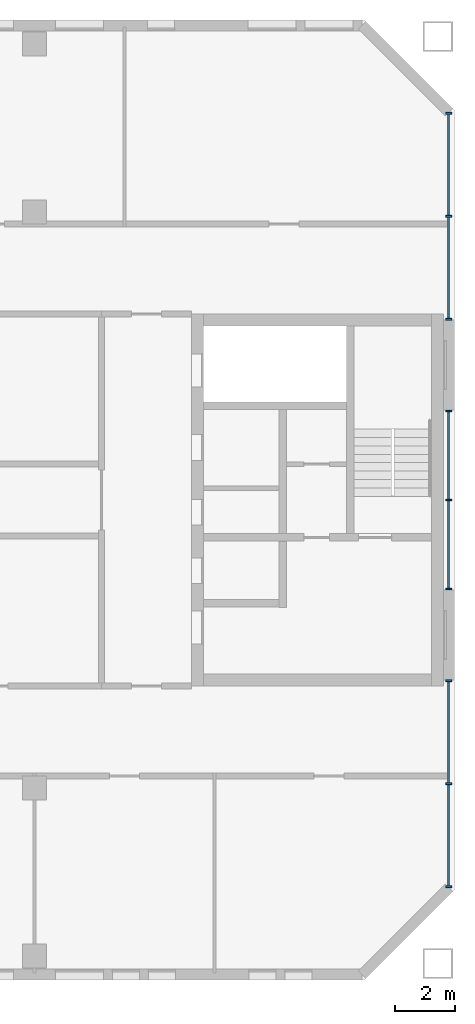
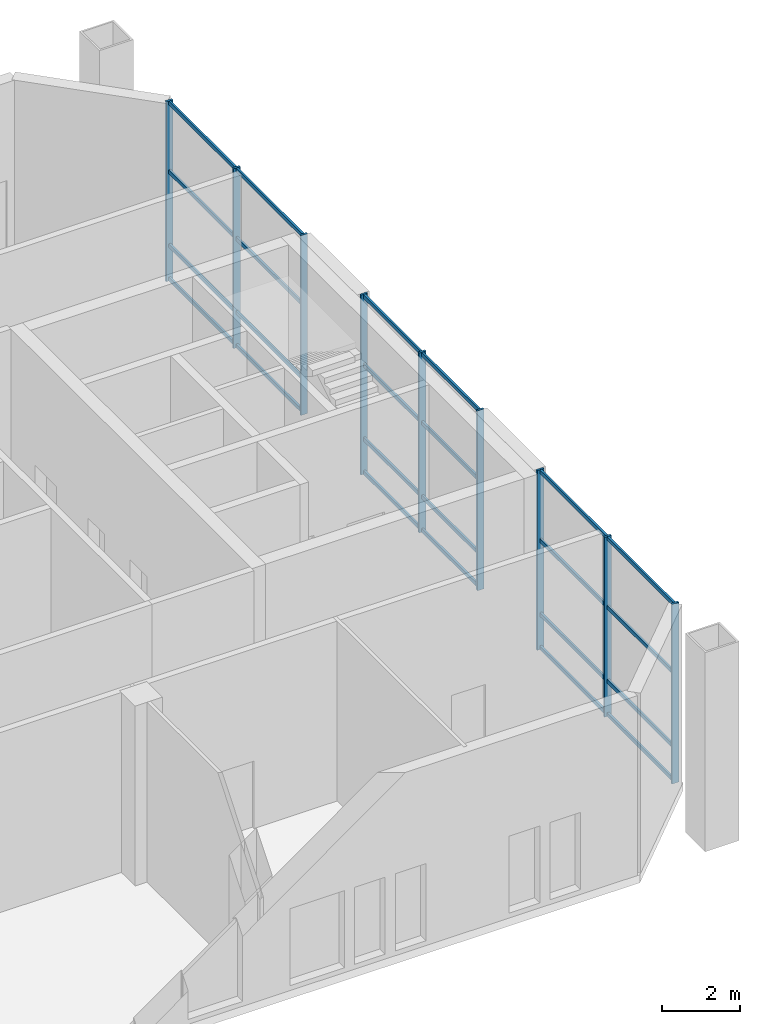
# One storey, part 6 of 20: 33 members, 3 elements without a shape of their own.
"""IFC4 building model written with IfcOpenShell, lengths in metres."""

from ifc_helpers import new_model, si_unit, direction, frame, origin, origin_2d, place, context, subcontext, project, spatial, rectangle, extrude, material, material_profile, profile_set, type_object, element, aggregate, save


model = new_model("IFC4")

# Units and contexts
model_context = context("Model", 3, precision=1e-05, world=origin(), true_north=direction((0.0, 1.0)))
body_context = subcontext(model_context, "Body", "Model", "MODEL_VIEW")
ifc_project = project(units=[si_unit("LENGTHUNIT", "METRE"), si_unit("AREAUNIT", "SQUARE_METRE"), si_unit("VOLUMEUNIT", "CUBIC_METRE"), si_unit("PLANEANGLEUNIT", "RADIAN"), si_unit("MASSUNIT", "GRAM", prefix="KILO")], contexts=[model_context])

# Site, building, storey
site_placement = place(None, origin())
site = spatial("IfcSite", under=ifc_project, at=site_placement, CompositionType="ELEMENT")
building_placement = place(site_placement, origin())
building = spatial("IfcBuilding", under=site, at=building_placement, Name="Tuart Gate Housing", CompositionType="ELEMENT")
storey_placement = place(building_placement, frame((0.0, 0.0, 215.199951171875)))
storey = spatial("IfcBuildingStorey", under=building, at=storey_placement, Name="L61", CompositionType="ELEMENT", Elevation=215.199951171875)

# Curtain wall, members
ifc_material_1 = material(Name="Aluminium and clear glass", Category="aluminium")
curtain_wall_type = type_object("IfcCurtainWallType", Name="Sky garden front glazing", PredefinedType="USERDEFINED", material=ifc_material_1)
curtain_wall_1_placement = place(storey_placement, origin())
curtain_wall_1 = element("IfcCurtainWall", 1, at=curtain_wall_1_placement, inside=storey, type_object=curtain_wall_type, Name="Sky garden front glazing BLK-E L61", ObjectType="SKY GARDEN FRONT GLAZING", PredefinedType="USERDEFINED")
ifc_material_2 = material(Name="Anodised aluminium", Category="aluminium")
ifc_material_profile_1 = material_profile(ifc_material_2, rectangle(XDim=0.06005859375, YDim=0.199951171875, at=origin_2d()), Name="60x200")
ifc_profile_set_1 = profile_set([ifc_material_profile_1], Name="Anodised aluminium")
member_type_1 = type_object("IfcMemberType", Name="Mullion 60 x 200", PredefinedType="MULLION", material=ifc_profile_set_1)
member_1_placement = place(storey_placement, frame((168.820068359375, 57.1044921875, 0.0), z_axis=(0.0, 0.0, 1.0), x_axis=(0.0, 1.0, 0.0)))
member_1 = element("IfcMember", 2, at=member_1_placement, type_object=member_type_1, Name="CW4 mullion 1", PredefinedType="MULLION", context=body_context, shape_type="SweptSolid", body=[
    extrude(rectangle(XDim=0.06005859375, YDim=0.199951171875, at=origin_2d()), origin(), (0.0, 0.0, 1.0), 5.60009765625),
])
member_2_placement = place(storey_placement, frame((168.820068359375, 60.537353515625, 0.0), z_axis=(0.0, 0.0, 1.0), x_axis=(0.0, 1.0, 0.0)))
member_2 = element("IfcMember", 3, at=member_2_placement, type_object=member_type_1, Name="CW4 mullion 2", PredefinedType="MULLION", context=body_context, shape_type="SweptSolid", body=[
    extrude(rectangle(XDim=0.06005859375, YDim=0.199951171875, at=origin_2d()), origin(), (0.0, 0.0, 1.0), 5.60009765625),
])
member_3_placement = place(storey_placement, frame((168.820068359375, 63.969970703125, 0.0), z_axis=(0.0, 0.0, 1.0), x_axis=(0.0, 1.0, 0.0)))
member_3 = element("IfcMember", 4, at=member_3_placement, type_object=member_type_1, Name="CW4 mullion 3", PredefinedType="MULLION", context=body_context, shape_type="SweptSolid", body=[
    extrude(rectangle(XDim=0.06005859375, YDim=0.199951171875, at=origin_2d()), origin(), (0.0, 0.0, 1.0), 5.60009765625),
])

curtain_wall_2_placement = place(storey_placement, origin())
curtain_wall_2 = element("IfcCurtainWall", 5, at=curtain_wall_2_placement, inside=storey, type_object=curtain_wall_type, Name="Sky garden front glazing BLK-E L61", ObjectType="SKY GARDEN FRONT GLAZING", PredefinedType="USERDEFINED")
member_4_placement = place(storey_placement, frame((168.820068359375, 67.030029296875, 0.0), z_axis=(0.0, 0.0, 1.0), x_axis=(0.0, 1.0, 0.0)))
member_4 = element("IfcMember", 6, at=member_4_placement, type_object=member_type_1, Name="CW4 mullion 1", PredefinedType="MULLION", context=body_context, shape_type="SweptSolid", body=[
    extrude(rectangle(XDim=0.06005859375, YDim=0.199951171875, at=origin_2d()), origin(), (0.0, 0.0, 1.0), 5.60009765625),
])
member_5_placement = place(storey_placement, frame((168.820068359375, 70.0, 0.0), z_axis=(0.0, 0.0, 1.0), x_axis=(0.0, 1.0, 0.0)))
member_5 = element("IfcMember", 7, at=member_5_placement, type_object=member_type_1, Name="CW4 mullion 2", PredefinedType="MULLION", context=body_context, shape_type="SweptSolid", body=[
    extrude(rectangle(XDim=0.06005859375, YDim=0.199951171875, at=origin_2d()), origin(), (0.0, 0.0, 1.0), 5.60009765625),
])
member_6_placement = place(storey_placement, frame((168.820068359375, 72.969970703125, 0.0), z_axis=(0.0, 0.0, 1.0), x_axis=(0.0, 1.0, 0.0)))
member_6 = element("IfcMember", 8, at=member_6_placement, type_object=member_type_1, Name="CW4 mullion 3", PredefinedType="MULLION", context=body_context, shape_type="SweptSolid", body=[
    extrude(rectangle(XDim=0.06005859375, YDim=0.199951171875, at=origin_2d()), origin(), (0.0, 0.0, 1.0), 5.60009765625),
])

curtain_wall_3_placement = place(storey_placement, origin())
curtain_wall_3 = element("IfcCurtainWall", 9, at=curtain_wall_3_placement, inside=storey, type_object=curtain_wall_type, Name="Sky garden front glazing BLK-E L61", ObjectType="SKY GARDEN FRONT GLAZING", PredefinedType="USERDEFINED")
member_7_placement = place(storey_placement, frame((168.820068359375, 76.030029296875, 0.0), z_axis=(0.0, 0.0, 1.0), x_axis=(0.0, 1.0, 0.0)))
member_7 = element("IfcMember", 10, at=member_7_placement, type_object=member_type_1, Name="CW4 mullion 1", PredefinedType="MULLION", context=body_context, shape_type="SweptSolid", body=[
    extrude(rectangle(XDim=0.06005859375, YDim=0.199951171875, at=origin_2d()), origin(), (0.0, 0.0, 1.0), 5.60009765625),
])
member_8_placement = place(storey_placement, frame((168.820068359375, 79.462646484375, 0.0), z_axis=(0.0, 0.0, 1.0), x_axis=(0.0, 1.0, 0.0)))
member_8 = element("IfcMember", 11, at=member_8_placement, type_object=member_type_1, Name="CW4 mullion 2", PredefinedType="MULLION", context=body_context, shape_type="SweptSolid", body=[
    extrude(rectangle(XDim=0.06005859375, YDim=0.199951171875, at=origin_2d()), origin(), (0.0, 0.0, 1.0), 5.60009765625),
])
member_9_placement = place(storey_placement, frame((168.820068359375, 82.8955078125, 0.0), z_axis=(0.0, 0.0, 1.0), x_axis=(0.0, 1.0, 0.0)))
member_9 = element("IfcMember", 12, at=member_9_placement, type_object=member_type_1, Name="CW4 mullion 3", PredefinedType="MULLION", context=body_context, shape_type="SweptSolid", body=[
    extrude(rectangle(XDim=0.06005859375, YDim=0.199951171875, at=origin_2d()), origin(), (0.0, 0.0, 1.0), 5.60009765625),
])

# Member
ifc_material_3 = material(Name="Anodised aluminium", Category="aluminium")
ifc_material_profile_2 = material_profile(ifc_material_3, rectangle(XDim=0.06005859375, YDim=0.1201171875, at=origin_2d()), Name="60x120")
ifc_profile_set_2 = profile_set([ifc_material_profile_2], Name="Anodised aluminium")
member_type_2 = type_object("IfcMemberType", Name="Transom 60 x 120", PredefinedType="USERDEFINED", material=ifc_profile_set_2)
member_10_placement = place(storey_placement, frame((168.820068359375, 57.134521484375, 0.06005859375), z_axis=(0.0, 1.0, 0.0), x_axis=(-1.0, 0.0, 0.0)))
member_10 = element("IfcMember", 13, at=member_10_placement, type_object=member_type_2, Name="CW4 transom 1.1", ObjectType="TRANSOM", PredefinedType="USERDEFINED", context=body_context, shape_type="SweptSolid", body=[
    extrude(rectangle(XDim=0.06005859375, YDim=0.1201171875, at=origin_2d()), origin(), (0.0, 0.0, 1.0), 3.372802734375),
])

member_11_placement = place(storey_placement, frame((168.820068359375, 57.134521484375, 1.10009765625), z_axis=(0.0, 1.0, 0.0), x_axis=(-1.0, 0.0, 0.0)))
member_11 = element("IfcMember", 14, at=member_11_placement, type_object=member_type_2, Name="CW4 transom 1.2", ObjectType="TRANSOM", PredefinedType="USERDEFINED", context=body_context, shape_type="SweptSolid", body=[
    extrude(rectangle(XDim=0.06005859375, YDim=0.1201171875, at=origin_2d()), origin(), (0.0, 0.0, 1.0), 3.372802734375),
])

member_12_placement = place(storey_placement, frame((168.820068359375, 57.134521484375, 3.400146484375), z_axis=(0.0, 1.0, 0.0), x_axis=(-1.0, 0.0, 0.0)))
member_12 = element("IfcMember", 15, at=member_12_placement, type_object=member_type_2, Name="CW4 transom 1.3", ObjectType="TRANSOM", PredefinedType="USERDEFINED", context=body_context, shape_type="SweptSolid", body=[
    extrude(rectangle(XDim=0.06005859375, YDim=0.1201171875, at=origin_2d()), origin(), (0.0, 0.0, 1.0), 3.372802734375),
])

member_13_placement = place(storey_placement, frame((168.820068359375, 57.134521484375, 5.5400390625), z_axis=(0.0, 1.0, 0.0), x_axis=(-1.0, 0.0, 0.0)))
member_13 = element("IfcMember", 16, at=member_13_placement, type_object=member_type_2, Name="CW4 transom 1.4", ObjectType="TRANSOM", PredefinedType="USERDEFINED", context=body_context, shape_type="SweptSolid", body=[
    extrude(rectangle(XDim=0.06005859375, YDim=0.1201171875, at=origin_2d()), origin(), (0.0, 0.0, 1.0), 3.372802734375),
])

member_14_placement = place(storey_placement, frame((168.820068359375, 60.5673828125, 0.06005859375), z_axis=(0.0, 1.0, 0.0), x_axis=(-1.0, 0.0, 0.0)))
member_14 = element("IfcMember", 17, at=member_14_placement, type_object=member_type_2, Name="CW4 transom 2.1", ObjectType="TRANSOM", PredefinedType="USERDEFINED", context=body_context, shape_type="SweptSolid", body=[
    extrude(rectangle(XDim=0.06005859375, YDim=0.1201171875, at=origin_2d()), origin(), (0.0, 0.0, 1.0), 3.37255859375),
])

member_15_placement = place(storey_placement, frame((168.820068359375, 60.5673828125, 1.10009765625), z_axis=(0.0, 1.0, 0.0), x_axis=(-1.0, 0.0, 0.0)))
member_15 = element("IfcMember", 18, at=member_15_placement, type_object=member_type_2, Name="CW4 transom 2.2", ObjectType="TRANSOM", PredefinedType="USERDEFINED", context=body_context, shape_type="SweptSolid", body=[
    extrude(rectangle(XDim=0.06005859375, YDim=0.1201171875, at=origin_2d()), origin(), (0.0, 0.0, 1.0), 3.37255859375),
])

member_16_placement = place(storey_placement, frame((168.820068359375, 60.5673828125, 3.400146484375), z_axis=(0.0, 1.0, 0.0), x_axis=(-1.0, 0.0, 0.0)))
member_16 = element("IfcMember", 19, at=member_16_placement, type_object=member_type_2, Name="CW4 transom 2.3", ObjectType="TRANSOM", PredefinedType="USERDEFINED", context=body_context, shape_type="SweptSolid", body=[
    extrude(rectangle(XDim=0.06005859375, YDim=0.1201171875, at=origin_2d()), origin(), (0.0, 0.0, 1.0), 3.37255859375),
])

member_17_placement = place(storey_placement, frame((168.820068359375, 60.5673828125, 5.5400390625), z_axis=(0.0, 1.0, 0.0), x_axis=(-1.0, 0.0, 0.0)))
member_17 = element("IfcMember", 20, at=member_17_placement, type_object=member_type_2, Name="CW4 transom 2.4", ObjectType="TRANSOM", PredefinedType="USERDEFINED", context=body_context, shape_type="SweptSolid", body=[
    extrude(rectangle(XDim=0.06005859375, YDim=0.1201171875, at=origin_2d()), origin(), (0.0, 0.0, 1.0), 3.37255859375),
])

aggregate(curtain_wall_1, [member_1, member_2, member_3, member_10, member_11, member_12, member_13, member_14, member_15, member_16, member_17])

member_18_placement = place(storey_placement, frame((168.820068359375, 67.06005859375, 0.06005859375), z_axis=(0.0, 1.0, 0.0), x_axis=(-1.0, 0.0, 0.0)))
member_18 = element("IfcMember", 21, at=member_18_placement, type_object=member_type_2, Name="CW4 transom 1.1", ObjectType="TRANSOM", PredefinedType="USERDEFINED", context=body_context, shape_type="SweptSolid", body=[
    extrude(rectangle(XDim=0.06005859375, YDim=0.1201171875, at=origin_2d()), origin(), (0.0, 0.0, 1.0), 2.909912109375),
])

member_19_placement = place(storey_placement, frame((168.820068359375, 67.06005859375, 1.10009765625), z_axis=(0.0, 1.0, 0.0), x_axis=(-1.0, 0.0, 0.0)))
member_19 = element("IfcMember", 22, at=member_19_placement, type_object=member_type_2, Name="CW4 transom 1.2", ObjectType="TRANSOM", PredefinedType="USERDEFINED", context=body_context, shape_type="SweptSolid", body=[
    extrude(rectangle(XDim=0.06005859375, YDim=0.1201171875, at=origin_2d()), origin(), (0.0, 0.0, 1.0), 2.909912109375),
])

member_20_placement = place(storey_placement, frame((168.820068359375, 67.06005859375, 3.400146484375), z_axis=(0.0, 1.0, 0.0), x_axis=(-1.0, 0.0, 0.0)))
member_20 = element("IfcMember", 23, at=member_20_placement, type_object=member_type_2, Name="CW4 transom 1.3", ObjectType="TRANSOM", PredefinedType="USERDEFINED", context=body_context, shape_type="SweptSolid", body=[
    extrude(rectangle(XDim=0.06005859375, YDim=0.1201171875, at=origin_2d()), origin(), (0.0, 0.0, 1.0), 2.909912109375),
])

member_21_placement = place(storey_placement, frame((168.820068359375, 67.06005859375, 5.5400390625), z_axis=(0.0, 1.0, 0.0), x_axis=(-1.0, 0.0, 0.0)))
member_21 = element("IfcMember", 24, at=member_21_placement, type_object=member_type_2, Name="CW4 transom 1.4", ObjectType="TRANSOM", PredefinedType="USERDEFINED", context=body_context, shape_type="SweptSolid", body=[
    extrude(rectangle(XDim=0.06005859375, YDim=0.1201171875, at=origin_2d()), origin(), (0.0, 0.0, 1.0), 2.909912109375),
])

member_22_placement = place(storey_placement, frame((168.820068359375, 70.030029296875, 0.06005859375), z_axis=(0.0, 1.0, 0.0), x_axis=(-1.0, 0.0, 0.0)))
member_22 = element("IfcMember", 25, at=member_22_placement, type_object=member_type_2, Name="CW4 transom 2.1", ObjectType="TRANSOM", PredefinedType="USERDEFINED", context=body_context, shape_type="SweptSolid", body=[
    extrude(rectangle(XDim=0.06005859375, YDim=0.1201171875, at=origin_2d()), origin(), (0.0, 0.0, 1.0), 2.909912109375),
])

member_23_placement = place(storey_placement, frame((168.820068359375, 70.030029296875, 1.10009765625), z_axis=(0.0, 1.0, 0.0), x_axis=(-1.0, 0.0, 0.0)))
member_23 = element("IfcMember", 26, at=member_23_placement, type_object=member_type_2, Name="CW4 transom 2.2", ObjectType="TRANSOM", PredefinedType="USERDEFINED", context=body_context, shape_type="SweptSolid", body=[
    extrude(rectangle(XDim=0.06005859375, YDim=0.1201171875, at=origin_2d()), origin(), (0.0, 0.0, 1.0), 2.909912109375),
])

member_24_placement = place(storey_placement, frame((168.820068359375, 70.030029296875, 3.400146484375), z_axis=(0.0, 1.0, 0.0), x_axis=(-1.0, 0.0, 0.0)))
member_24 = element("IfcMember", 27, at=member_24_placement, type_object=member_type_2, Name="CW4 transom 2.3", ObjectType="TRANSOM", PredefinedType="USERDEFINED", context=body_context, shape_type="SweptSolid", body=[
    extrude(rectangle(XDim=0.06005859375, YDim=0.1201171875, at=origin_2d()), origin(), (0.0, 0.0, 1.0), 2.909912109375),
])

member_25_placement = place(storey_placement, frame((168.820068359375, 70.030029296875, 5.5400390625), z_axis=(0.0, 1.0, 0.0), x_axis=(-1.0, 0.0, 0.0)))
member_25 = element("IfcMember", 28, at=member_25_placement, type_object=member_type_2, Name="CW4 transom 2.4", ObjectType="TRANSOM", PredefinedType="USERDEFINED", context=body_context, shape_type="SweptSolid", body=[
    extrude(rectangle(XDim=0.06005859375, YDim=0.1201171875, at=origin_2d()), origin(), (0.0, 0.0, 1.0), 2.909912109375),
])

aggregate(curtain_wall_2, [member_4, member_5, member_6, member_18, member_19, member_20, member_21, member_22, member_23, member_24, member_25])

member_26_placement = place(storey_placement, frame((168.820068359375, 76.06005859375, 0.06005859375), z_axis=(0.0, 1.0, 0.0), x_axis=(-1.0, 0.0, 0.0)))
member_26 = element("IfcMember", 29, at=member_26_placement, type_object=member_type_2, Name="CW4 transom 1.1", ObjectType="TRANSOM", PredefinedType="USERDEFINED", context=body_context, shape_type="SweptSolid", body=[
    extrude(rectangle(XDim=0.06005859375, YDim=0.1201171875, at=origin_2d()), origin(), (0.0, 0.0, 1.0), 3.372802734375),
])

member_27_placement = place(storey_placement, frame((168.820068359375, 76.06005859375, 1.10009765625), z_axis=(0.0, 1.0, 0.0), x_axis=(-1.0, 0.0, 0.0)))
member_27 = element("IfcMember", 30, at=member_27_placement, type_object=member_type_2, Name="CW4 transom 1.2", ObjectType="TRANSOM", PredefinedType="USERDEFINED", context=body_context, shape_type="SweptSolid", body=[
    extrude(rectangle(XDim=0.06005859375, YDim=0.1201171875, at=origin_2d()), origin(), (0.0, 0.0, 1.0), 3.372802734375),
])

member_28_placement = place(storey_placement, frame((168.820068359375, 76.06005859375, 3.400146484375), z_axis=(0.0, 1.0, 0.0), x_axis=(-1.0, 0.0, 0.0)))
member_28 = element("IfcMember", 31, at=member_28_placement, type_object=member_type_2, Name="CW4 transom 1.3", ObjectType="TRANSOM", PredefinedType="USERDEFINED", context=body_context, shape_type="SweptSolid", body=[
    extrude(rectangle(XDim=0.06005859375, YDim=0.1201171875, at=origin_2d()), origin(), (0.0, 0.0, 1.0), 3.372802734375),
])

member_29_placement = place(storey_placement, frame((168.820068359375, 76.06005859375, 5.5400390625), z_axis=(0.0, 1.0, 0.0), x_axis=(-1.0, 0.0, 0.0)))
member_29 = element("IfcMember", 32, at=member_29_placement, type_object=member_type_2, Name="CW4 transom 1.4", ObjectType="TRANSOM", PredefinedType="USERDEFINED", context=body_context, shape_type="SweptSolid", body=[
    extrude(rectangle(XDim=0.06005859375, YDim=0.1201171875, at=origin_2d()), origin(), (0.0, 0.0, 1.0), 3.372802734375),
])

member_30_placement = place(storey_placement, frame((168.820068359375, 79.49267578125, 0.06005859375), z_axis=(0.0, 1.0, 0.0), x_axis=(-1.0, 0.0, 0.0)))
member_30 = element("IfcMember", 33, at=member_30_placement, type_object=member_type_2, Name="CW4 transom 2.1", ObjectType="TRANSOM", PredefinedType="USERDEFINED", context=body_context, shape_type="SweptSolid", body=[
    extrude(rectangle(XDim=0.06005859375, YDim=0.1201171875, at=origin_2d()), origin(), (0.0, 0.0, 1.0), 3.372802734375),
])

member_31_placement = place(storey_placement, frame((168.820068359375, 79.49267578125, 1.10009765625), z_axis=(0.0, 1.0, 0.0), x_axis=(-1.0, 0.0, 0.0)))
member_31 = element("IfcMember", 34, at=member_31_placement, type_object=member_type_2, Name="CW4 transom 2.2", ObjectType="TRANSOM", PredefinedType="USERDEFINED", context=body_context, shape_type="SweptSolid", body=[
    extrude(rectangle(XDim=0.06005859375, YDim=0.1201171875, at=origin_2d()), origin(), (0.0, 0.0, 1.0), 3.372802734375),
])

member_32_placement = place(storey_placement, frame((168.820068359375, 79.49267578125, 3.400146484375), z_axis=(0.0, 1.0, 0.0), x_axis=(-1.0, 0.0, 0.0)))
member_32 = element("IfcMember", 35, at=member_32_placement, type_object=member_type_2, Name="CW4 transom 2.3", ObjectType="TRANSOM", PredefinedType="USERDEFINED", context=body_context, shape_type="SweptSolid", body=[
    extrude(rectangle(XDim=0.06005859375, YDim=0.1201171875, at=origin_2d()), origin(), (0.0, 0.0, 1.0), 3.372802734375),
])

member_33_placement = place(storey_placement, frame((168.820068359375, 79.49267578125, 5.5400390625), z_axis=(0.0, 1.0, 0.0), x_axis=(-1.0, 0.0, 0.0)))
member_33 = element("IfcMember", 36, at=member_33_placement, type_object=member_type_2, Name="CW4 transom 2.4", ObjectType="TRANSOM", PredefinedType="USERDEFINED", context=body_context, shape_type="SweptSolid", body=[
    extrude(rectangle(XDim=0.06005859375, YDim=0.1201171875, at=origin_2d()), origin(), (0.0, 0.0, 1.0), 3.372802734375),
])

aggregate(curtain_wall_3, [member_7, member_8, member_9, member_26, member_27, member_28, member_29, member_30, member_31, member_32, member_33])

save(model, "model.ifc")
